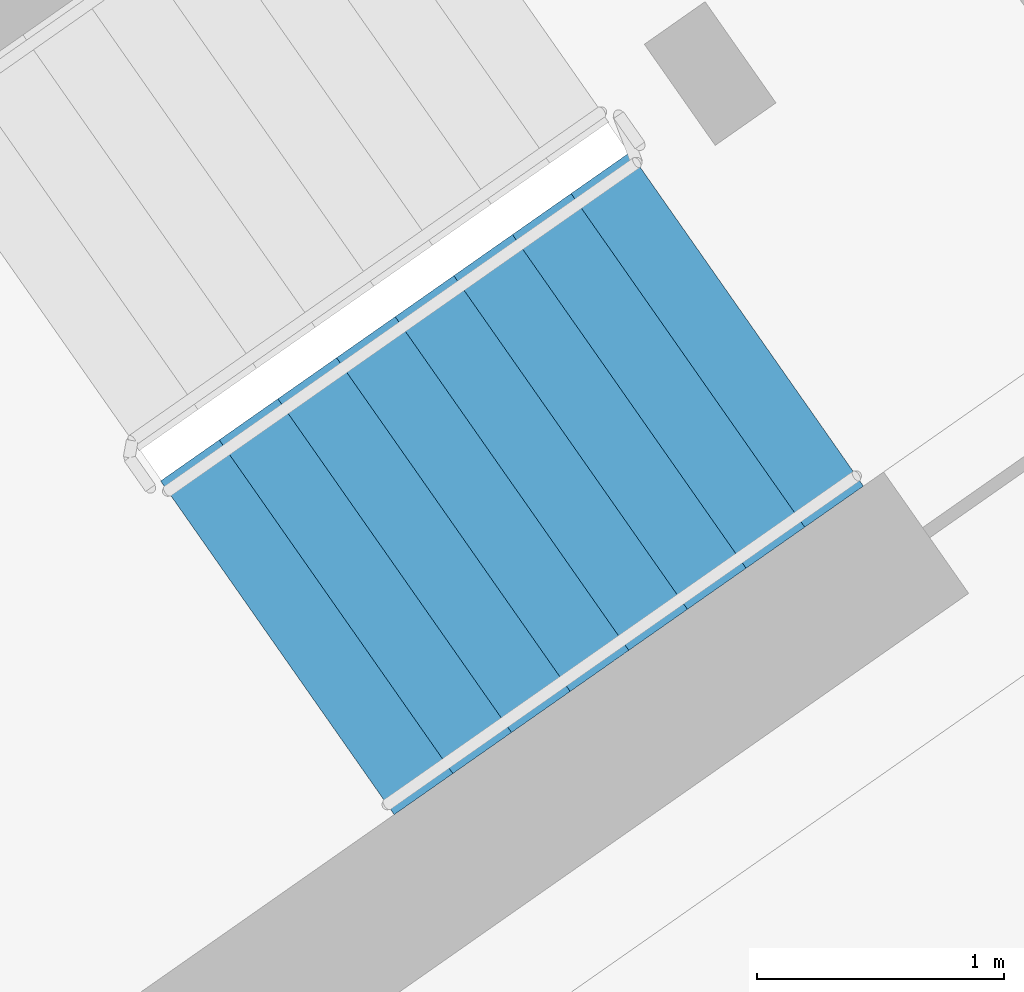
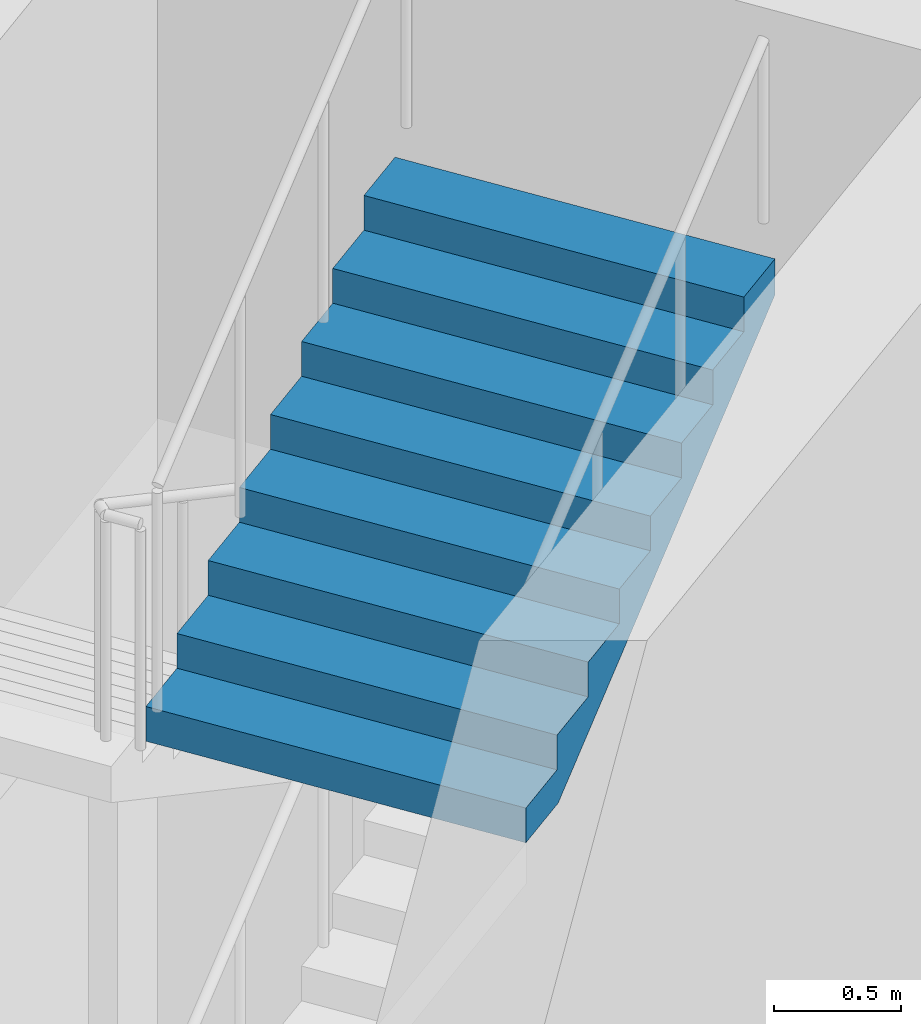
# One storey, part 17 of 41: 1 stair flight, 1 element without a shape of its own.
"""IFC4 building model written with IfcOpenShell, lengths in metres."""

from ifc_helpers import new_model, si_unit, direction, frame, origin, place, context, subcontext, project, spatial, faceted_brep, material, type_object, element, aggregate, save


model = new_model("IFC4")

# Units and contexts
model_context = context("Model", 3, precision=1e-05, world=origin(), true_north=direction((0.0, 1.0)))
body_context = subcontext(model_context, "Body", "Model", "MODEL_VIEW")
ifc_project = project(units=[si_unit("LENGTHUNIT", "METRE"), si_unit("AREAUNIT", "SQUARE_METRE"), si_unit("VOLUMEUNIT", "CUBIC_METRE"), si_unit("PLANEANGLEUNIT", "RADIAN"), si_unit("MASSUNIT", "GRAM", prefix="KILO")], contexts=[model_context])

# Site, building, storey
site_placement = place(None, origin())
site = spatial("IfcSite", under=ifc_project, at=site_placement, CompositionType="ELEMENT")
building_placement = place(site_placement, origin())
building = spatial("IfcBuilding", under=site, at=building_placement, Name="Qamariyya Broadcast Tower", CompositionType="ELEMENT")
storey_placement = place(building_placement, frame((0.0, 0.0, 284.699951171875)))
storey = spatial("IfcBuildingStorey", under=building, at=storey_placement, Name="L69", CompositionType="ELEMENT", Elevation=284.699951171875)

# Stair, stair flight
ifc_material = material(Name="Concrete C50/60", Category="concrete")
stair_type = type_object("IfcStairType", Name="Exit stair 36 risers of 167 mm", PredefinedType="HALF_TURN_STAIR", material=ifc_material)
stair_placement = place(storey_placement, origin())
stair = element("IfcStair", 1, at=stair_placement, inside=storey, type_object=stair_type, Name="L69 Stair E1", PredefinedType="HALF_TURN_STAIR")
stair_flight_type = type_object("IfcStairFlightType", Name="Exit stair flight 9 risers of 167 mm", PredefinedType="STRAIGHT", material=ifc_material)
stair_flight_placement = place(storey_placement, frame((45.16845703125, -58.313232421875, 4.5), z_axis=(0.0, 0.0, 1.0), x_axis=(0.819152044289, 0.573576436351, 0.0)))
stair_flight = element("IfcStairFlight", 2, at=stair_flight_placement, type_object=stair_flight_type, Name="ST-E1 flight 4", NumberOfRisers=9, NumberOfTreads=8, PredefinedType="STRAIGHT", RiserHeight=0.166666667, TreadLength=0.29, context=body_context, shape_type="Brep", body=[
    faceted_brep([(0.0, 0.824951171875, 0.0), (0.0, 0.824951171875, 0.166748046875), (0.2900390625, 0.824951171875, 0.166748046875), (0.2900390625, 0.824951171875, 0.333251953125), (0.580078125, 0.824951171875, 0.333251953125), (0.580078125, 0.824951171875, 0.5), (0.8701171875, 0.824951171875, 0.5), (0.8701171875, 0.824951171875, 0.666748046875), (1.159912109375, 0.824951171875, 0.666748046875), (1.159912109375, 0.824951171875, 0.833251953125), (1.449951171875, 0.824951171875, 0.833251953125), (1.449951171875, 0.824951171875, 1.0), (1.739990234375, 0.824951171875, 1.0), (1.739990234375, 0.824951171875, 1.166748046875), (2.030029296875, 0.824951171875, 1.166748046875), (2.030029296875, 0.824951171875, 1.333251953125), (2.320068359375, 0.824951171875, 1.333251953125), (2.320068359375, 0.824951171875, 1.160400390625), (0.30078125, 0.824951171875, 0.0), (0.30078125, -0.824951171875, 0.0), (2.320068359375, -0.824951171875, 1.160400390625), (2.320068359375, -0.824951171875, 1.333251953125), (2.030029296875, -0.824951171875, 1.333251953125), (2.030029296875, -0.824951171875, 1.166748046875), (1.739990234375, -0.824951171875, 1.166748046875), (1.739990234375, -0.824951171875, 1.0), (1.449951171875, -0.824951171875, 1.0), (1.449951171875, -0.824951171875, 0.833251953125), (1.159912109375, -0.824951171875, 0.833251953125), (1.159912109375, -0.824951171875, 0.666748046875), (0.8701171875, -0.824951171875, 0.666748046875), (0.8701171875, -0.824951171875, 0.5), (0.580078125, -0.824951171875, 0.5), (0.580078125, -0.824951171875, 0.333251953125), (0.2900390625, -0.824951171875, 0.333251953125), (0.2900390625, -0.824951171875, 0.166748046875), (0.0, -0.824951171875, 0.166748046875), (0.0, -0.824951171875, 0.0), (0.0, 0.10009765625, 0.0), (0.0, 0.086669921875, 0.0), (0.0, 0.0732421875, 0.0), (0.0, 0.06005859375, 0.0), (0.0, 0.046630859375, 0.0), (0.0, 0.033447265625, 0.0), (0.0, 0.02001953125, 0.0), (0.0, 0.006591796875, 0.0), (0.0, -0.006591796875, 0.0), (0.0, -0.02001953125, 0.0), (0.0, -0.033447265625, 0.0), (0.0, -0.046630859375, 0.0), (0.0, -0.06005859375, 0.0), (0.0, -0.0732421875, 0.0), (0.0, -0.086669921875, 0.0), (0.0, -0.10009765625, 0.0), (0.0, -0.10009765625, 0.166748046875), (0.0, -0.086669921875, 0.166748046875), (0.0, -0.0732421875, 0.166748046875), (0.0, -0.06005859375, 0.166748046875), (0.0, -0.046630859375, 0.166748046875), (0.0, -0.033447265625, 0.166748046875), (0.0, -0.02001953125, 0.166748046875), (0.0, -0.006591796875, 0.166748046875), (0.0, 0.006591796875, 0.166748046875), (0.0, 0.02001953125, 0.166748046875), (0.0, 0.033447265625, 0.166748046875), (0.0, 0.046630859375, 0.166748046875), (0.0, 0.06005859375, 0.166748046875), (0.0, 0.0732421875, 0.166748046875), (0.0, 0.086669921875, 0.166748046875), (0.0, 0.10009765625, 0.166748046875), (0.2900390625, -0.10009765625, 0.166748046875), (0.2900390625, -0.086669921875, 0.166748046875), (0.2900390625, -0.0732421875, 0.166748046875), (0.2900390625, -0.06005859375, 0.166748046875), (0.2900390625, -0.046630859375, 0.166748046875), (0.2900390625, -0.033447265625, 0.166748046875), (0.2900390625, -0.02001953125, 0.166748046875), (0.2900390625, -0.006591796875, 0.166748046875), (0.2900390625, 0.006591796875, 0.166748046875), (0.2900390625, 0.02001953125, 0.166748046875), (0.2900390625, 0.033447265625, 0.166748046875), (0.2900390625, 0.046630859375, 0.166748046875), (0.2900390625, 0.06005859375, 0.166748046875), (0.2900390625, 0.0732421875, 0.166748046875), (0.2900390625, 0.086669921875, 0.166748046875), (0.2900390625, 0.10009765625, 0.166748046875), (0.2900390625, -0.10009765625, 0.333251953125), (0.2900390625, -0.086669921875, 0.333251953125), (0.2900390625, -0.0732421875, 0.333251953125), (0.2900390625, -0.06005859375, 0.333251953125), (0.2900390625, -0.046630859375, 0.333251953125), (0.2900390625, -0.033447265625, 0.333251953125), (0.2900390625, -0.02001953125, 0.333251953125), (0.2900390625, -0.006591796875, 0.333251953125), (0.2900390625, 0.006591796875, 0.333251953125), (0.2900390625, 0.02001953125, 0.333251953125), (0.2900390625, 0.033447265625, 0.333251953125), (0.2900390625, 0.046630859375, 0.333251953125), (0.2900390625, 0.06005859375, 0.333251953125), (0.2900390625, 0.0732421875, 0.333251953125), (0.2900390625, 0.086669921875, 0.333251953125), (0.2900390625, 0.10009765625, 0.333251953125), (0.580078125, -0.10009765625, 0.333251953125), (0.580078125, -0.086669921875, 0.333251953125), (0.580078125, -0.0732421875, 0.333251953125), (0.580078125, -0.06005859375, 0.333251953125), (0.580078125, -0.046630859375, 0.333251953125), (0.580078125, -0.033447265625, 0.333251953125), (0.580078125, -0.02001953125, 0.333251953125), (0.580078125, -0.006591796875, 0.333251953125), (0.580078125, 0.006591796875, 0.333251953125), (0.580078125, 0.02001953125, 0.333251953125), (0.580078125, 0.033447265625, 0.333251953125), (0.580078125, 0.046630859375, 0.333251953125), (0.580078125, 0.06005859375, 0.333251953125), (0.580078125, 0.0732421875, 0.333251953125), (0.580078125, 0.086669921875, 0.333251953125), (0.580078125, 0.10009765625, 0.333251953125), (0.580078125, -0.10009765625, 0.5), (0.580078125, -0.086669921875, 0.5), (0.580078125, -0.0732421875, 0.5), (0.580078125, -0.06005859375, 0.5), (0.580078125, -0.046630859375, 0.5), (0.580078125, -0.033447265625, 0.5), (0.580078125, -0.02001953125, 0.5), (0.580078125, -0.006591796875, 0.5), (0.580078125, 0.006591796875, 0.5), (0.580078125, 0.02001953125, 0.5), (0.580078125, 0.033447265625, 0.5), (0.580078125, 0.046630859375, 0.5), (0.580078125, 0.06005859375, 0.5), (0.580078125, 0.0732421875, 0.5), (0.580078125, 0.086669921875, 0.5), (0.580078125, 0.10009765625, 0.5), (0.8701171875, -0.10009765625, 0.5), (0.8701171875, -0.086669921875, 0.5), (0.8701171875, -0.0732421875, 0.5), (0.8701171875, -0.06005859375, 0.5), (0.8701171875, -0.046630859375, 0.5), (0.8701171875, -0.033447265625, 0.5), (0.8701171875, -0.02001953125, 0.5), (0.8701171875, -0.006591796875, 0.5), (0.8701171875, 0.006591796875, 0.5), (0.8701171875, 0.02001953125, 0.5), (0.8701171875, 0.033447265625, 0.5), (0.8701171875, 0.046630859375, 0.5), (0.8701171875, 0.06005859375, 0.5), (0.8701171875, 0.0732421875, 0.5), (0.8701171875, 0.086669921875, 0.5), (0.8701171875, 0.10009765625, 0.5), (0.8701171875, -0.10009765625, 0.666748046875), (0.8701171875, -0.086669921875, 0.666748046875), (0.8701171875, -0.0732421875, 0.666748046875), (0.8701171875, -0.06005859375, 0.666748046875), (0.8701171875, -0.046630859375, 0.666748046875), (0.8701171875, -0.033447265625, 0.666748046875), (0.8701171875, -0.02001953125, 0.666748046875), (0.8701171875, -0.006591796875, 0.666748046875), (0.8701171875, 0.006591796875, 0.666748046875), (0.8701171875, 0.02001953125, 0.666748046875), (0.8701171875, 0.033447265625, 0.666748046875), (0.8701171875, 0.046630859375, 0.666748046875), (0.8701171875, 0.06005859375, 0.666748046875), (0.8701171875, 0.0732421875, 0.666748046875), (0.8701171875, 0.086669921875, 0.666748046875), (0.8701171875, 0.10009765625, 0.666748046875), (1.159912109375, -0.10009765625, 0.666748046875), (1.159912109375, -0.086669921875, 0.666748046875), (1.159912109375, -0.0732421875, 0.666748046875), (1.159912109375, -0.06005859375, 0.666748046875), (1.159912109375, -0.046630859375, 0.666748046875), (1.159912109375, -0.033447265625, 0.666748046875), (1.159912109375, -0.02001953125, 0.666748046875), (1.159912109375, -0.006591796875, 0.666748046875), (1.159912109375, 0.006591796875, 0.666748046875), (1.159912109375, 0.02001953125, 0.666748046875), (1.159912109375, 0.033447265625, 0.666748046875), (1.159912109375, 0.046630859375, 0.666748046875), (1.159912109375, 0.06005859375, 0.666748046875), (1.159912109375, 0.0732421875, 0.666748046875), (1.159912109375, 0.086669921875, 0.666748046875), (1.159912109375, 0.10009765625, 0.666748046875), (1.159912109375, -0.10009765625, 0.833251953125), (1.159912109375, -0.086669921875, 0.833251953125), (1.159912109375, -0.0732421875, 0.833251953125), (1.159912109375, -0.06005859375, 0.833251953125), (1.159912109375, -0.046630859375, 0.833251953125), (1.159912109375, -0.033447265625, 0.833251953125), (1.159912109375, -0.02001953125, 0.833251953125), (1.159912109375, -0.006591796875, 0.833251953125), (1.159912109375, 0.006591796875, 0.833251953125), (1.159912109375, 0.02001953125, 0.833251953125), (1.159912109375, 0.033447265625, 0.833251953125), (1.159912109375, 0.046630859375, 0.833251953125), (1.159912109375, 0.06005859375, 0.833251953125), (1.159912109375, 0.0732421875, 0.833251953125), (1.159912109375, 0.086669921875, 0.833251953125), (1.159912109375, 0.10009765625, 0.833251953125), (1.449951171875, -0.10009765625, 0.833251953125), (1.449951171875, -0.086669921875, 0.833251953125), (1.449951171875, -0.0732421875, 0.833251953125), (1.449951171875, -0.06005859375, 0.833251953125), (1.449951171875, -0.046630859375, 0.833251953125), (1.449951171875, -0.033447265625, 0.833251953125), (1.449951171875, -0.02001953125, 0.833251953125), (1.449951171875, -0.006591796875, 0.833251953125), (1.449951171875, 0.006591796875, 0.833251953125), (1.449951171875, 0.02001953125, 0.833251953125), (1.449951171875, 0.033447265625, 0.833251953125), (1.449951171875, 0.046630859375, 0.833251953125), (1.449951171875, 0.06005859375, 0.833251953125), (1.449951171875, 0.0732421875, 0.833251953125), (1.449951171875, 0.086669921875, 0.833251953125), (1.449951171875, 0.10009765625, 0.833251953125), (1.449951171875, -0.10009765625, 1.0), (1.449951171875, -0.086669921875, 1.0), (1.449951171875, -0.0732421875, 1.0), (1.449951171875, -0.06005859375, 1.0), (1.449951171875, -0.046630859375, 1.0), (1.449951171875, -0.033447265625, 1.0), (1.449951171875, -0.02001953125, 1.0), (1.449951171875, -0.006591796875, 1.0), (1.449951171875, 0.006591796875, 1.0), (1.449951171875, 0.02001953125, 1.0), (1.449951171875, 0.033447265625, 1.0), (1.449951171875, 0.046630859375, 1.0), (1.449951171875, 0.06005859375, 1.0), (1.449951171875, 0.0732421875, 1.0), (1.449951171875, 0.086669921875, 1.0), (1.449951171875, 0.10009765625, 1.0), (1.739990234375, -0.10009765625, 1.0), (1.739990234375, -0.086669921875, 1.0), (1.739990234375, -0.0732421875, 1.0), (1.739990234375, -0.06005859375, 1.0), (1.739990234375, -0.046630859375, 1.0), (1.739990234375, -0.033447265625, 1.0), (1.739990234375, -0.02001953125, 1.0), (1.739990234375, -0.006591796875, 1.0), (1.739990234375, 0.006591796875, 1.0), (1.739990234375, 0.02001953125, 1.0), (1.739990234375, 0.033447265625, 1.0), (1.739990234375, 0.046630859375, 1.0), (1.739990234375, 0.06005859375, 1.0), (1.739990234375, 0.0732421875, 1.0), (1.739990234375, 0.086669921875, 1.0), (1.739990234375, 0.10009765625, 1.0), (1.739990234375, -0.10009765625, 1.166748046875), (1.739990234375, -0.086669921875, 1.166748046875), (1.739990234375, -0.0732421875, 1.166748046875), (1.739990234375, -0.06005859375, 1.166748046875), (1.739990234375, -0.046630859375, 1.166748046875), (1.739990234375, -0.033447265625, 1.166748046875), (1.739990234375, -0.02001953125, 1.166748046875), (1.739990234375, -0.006591796875, 1.166748046875), (1.739990234375, 0.006591796875, 1.166748046875), (1.739990234375, 0.02001953125, 1.166748046875), (1.739990234375, 0.033447265625, 1.166748046875), (1.739990234375, 0.046630859375, 1.166748046875), (1.739990234375, 0.06005859375, 1.166748046875), (1.739990234375, 0.0732421875, 1.166748046875), (1.739990234375, 0.086669921875, 1.166748046875), (1.739990234375, 0.10009765625, 1.166748046875), (2.030029296875, -0.10009765625, 1.166748046875), (2.030029296875, -0.086669921875, 1.166748046875), (2.030029296875, -0.0732421875, 1.166748046875), (2.030029296875, -0.06005859375, 1.166748046875), (2.030029296875, -0.046630859375, 1.166748046875), (2.030029296875, -0.033447265625, 1.166748046875), (2.030029296875, -0.02001953125, 1.166748046875), (2.030029296875, -0.006591796875, 1.166748046875), (2.030029296875, 0.006591796875, 1.166748046875), (2.030029296875, 0.02001953125, 1.166748046875), (2.030029296875, 0.033447265625, 1.166748046875), (2.030029296875, 0.046630859375, 1.166748046875), (2.030029296875, 0.06005859375, 1.166748046875), (2.030029296875, 0.0732421875, 1.166748046875), (2.030029296875, 0.086669921875, 1.166748046875), (2.030029296875, 0.10009765625, 1.166748046875), (2.030029296875, -0.10009765625, 1.333251953125), (2.030029296875, -0.086669921875, 1.333251953125), (2.030029296875, -0.0732421875, 1.333251953125), (2.030029296875, -0.06005859375, 1.333251953125), (2.030029296875, -0.046630859375, 1.333251953125), (2.030029296875, -0.033447265625, 1.333251953125), (2.030029296875, -0.02001953125, 1.333251953125), (2.030029296875, -0.006591796875, 1.333251953125), (2.030029296875, 0.006591796875, 1.333251953125), (2.030029296875, 0.02001953125, 1.333251953125), (2.030029296875, 0.033447265625, 1.333251953125), (2.030029296875, 0.046630859375, 1.333251953125), (2.030029296875, 0.06005859375, 1.333251953125), (2.030029296875, 0.0732421875, 1.333251953125), (2.030029296875, 0.086669921875, 1.333251953125), (2.030029296875, 0.10009765625, 1.333251953125), (2.320068359375, -0.10009765625, 1.333251953125), (2.320068359375, -0.086669921875, 1.333251953125), (2.320068359375, -0.0732421875, 1.333251953125), (2.320068359375, -0.06005859375, 1.333251953125), (2.320068359375, -0.046630859375, 1.333251953125), (2.320068359375, -0.033447265625, 1.333251953125), (2.320068359375, -0.02001953125, 1.333251953125), (2.320068359375, -0.006591796875, 1.333251953125), (2.320068359375, 0.006591796875, 1.333251953125), (2.320068359375, 0.02001953125, 1.333251953125), (2.320068359375, 0.033447265625, 1.333251953125), (2.320068359375, 0.046630859375, 1.333251953125), (2.320068359375, 0.06005859375, 1.333251953125), (2.320068359375, 0.0732421875, 1.333251953125), (2.320068359375, 0.086669921875, 1.333251953125), (2.320068359375, 0.10009765625, 1.333251953125), (2.320068359375, -0.10009765625, 1.160400390625), (2.320068359375, -0.086669921875, 1.160400390625), (2.320068359375, -0.0732421875, 1.160400390625), (2.320068359375, -0.06005859375, 1.160400390625), (2.320068359375, -0.046630859375, 1.160400390625), (2.320068359375, -0.033447265625, 1.160400390625), (2.320068359375, -0.02001953125, 1.160400390625), (2.320068359375, -0.006591796875, 1.160400390625), (2.320068359375, 0.006591796875, 1.160400390625), (2.320068359375, 0.02001953125, 1.160400390625), (2.320068359375, 0.033447265625, 1.160400390625), (2.320068359375, 0.046630859375, 1.160400390625), (2.320068359375, 0.06005859375, 1.160400390625), (2.320068359375, 0.0732421875, 1.160400390625), (2.320068359375, 0.086669921875, 1.160400390625), (2.320068359375, 0.10009765625, 1.160400390625), (0.30078125, -0.10009765625, 0.0), (0.30078125, -0.086669921875, 0.0), (0.30078125, -0.0732421875, 0.0), (0.30078125, -0.06005859375, 0.0), (0.30078125, -0.046630859375, 0.0), (0.30078125, -0.033447265625, 0.0), (0.30078125, -0.02001953125, 0.0), (0.30078125, -0.006591796875, 0.0), (0.30078125, 0.006591796875, 0.0), (0.30078125, 0.02001953125, 0.0), (0.30078125, 0.033447265625, 0.0), (0.30078125, 0.046630859375, 0.0), (0.30078125, 0.06005859375, 0.0), (0.30078125, 0.0732421875, 0.0), (0.30078125, 0.086669921875, 0.0), (0.30078125, 0.10009765625, 0.0)], [[[0, 1, 2, 3, 4, 5, 6, 7, 8, 9, 10, 11, 12, 13, 14, 15, 16, 17, 18]], [[19, 20, 21, 22, 23, 24, 25, 26, 27, 28, 29, 30, 31, 32, 33, 34, 35, 36, 37]], [[0, 38, 39, 40, 41, 42, 43, 44, 45, 46, 47, 48, 49, 50, 51, 52, 53, 37, 36, 54, 55, 56, 57, 58, 59, 60, 61, 62, 63, 64, 65, 66, 67, 68, 69, 1]], [[1, 69, 68, 67, 66, 65, 64, 63, 62, 61, 60, 59, 58, 57, 56, 55, 54, 36, 35, 70, 71, 72, 73, 74, 75, 76, 77, 78, 79, 80, 81, 82, 83, 84, 85, 2]], [[2, 85, 84, 83, 82, 81, 80, 79, 78, 77, 76, 75, 74, 73, 72, 71, 70, 35, 34, 86, 87, 88, 89, 90, 91, 92, 93, 94, 95, 96, 97, 98, 99, 100, 101, 3]], [[3, 101, 100, 99, 98, 97, 96, 95, 94, 93, 92, 91, 90, 89, 88, 87, 86, 34, 33, 102, 103, 104, 105, 106, 107, 108, 109, 110, 111, 112, 113, 114, 115, 116, 117, 4]], [[4, 117, 116, 115, 114, 113, 112, 111, 110, 109, 108, 107, 106, 105, 104, 103, 102, 33, 32, 118, 119, 120, 121, 122, 123, 124, 125, 126, 127, 128, 129, 130, 131, 132, 133, 5]], [[5, 133, 132, 131, 130, 129, 128, 127, 126, 125, 124, 123, 122, 121, 120, 119, 118, 32, 31, 134, 135, 136, 137, 138, 139, 140, 141, 142, 143, 144, 145, 146, 147, 148, 149, 6]], [[6, 149, 148, 147, 146, 145, 144, 143, 142, 141, 140, 139, 138, 137, 136, 135, 134, 31, 30, 150, 151, 152, 153, 154, 155, 156, 157, 158, 159, 160, 161, 162, 163, 164, 165, 7]], [[7, 165, 164, 163, 162, 161, 160, 159, 158, 157, 156, 155, 154, 153, 152, 151, 150, 30, 29, 166, 167, 168, 169, 170, 171, 172, 173, 174, 175, 176, 177, 178, 179, 180, 181, 8]], [[8, 181, 180, 179, 178, 177, 176, 175, 174, 173, 172, 171, 170, 169, 168, 167, 166, 29, 28, 182, 183, 184, 185, 186, 187, 188, 189, 190, 191, 192, 193, 194, 195, 196, 197, 9]], [[9, 197, 196, 195, 194, 193, 192, 191, 190, 189, 188, 187, 186, 185, 184, 183, 182, 28, 27, 198, 199, 200, 201, 202, 203, 204, 205, 206, 207, 208, 209, 210, 211, 212, 213, 10]], [[10, 213, 212, 211, 210, 209, 208, 207, 206, 205, 204, 203, 202, 201, 200, 199, 198, 27, 26, 214, 215, 216, 217, 218, 219, 220, 221, 222, 223, 224, 225, 226, 227, 228, 229, 11]], [[11, 229, 228, 227, 226, 225, 224, 223, 222, 221, 220, 219, 218, 217, 216, 215, 214, 26, 25, 230, 231, 232, 233, 234, 235, 236, 237, 238, 239, 240, 241, 242, 243, 244, 245, 12]], [[12, 245, 244, 243, 242, 241, 240, 239, 238, 237, 236, 235, 234, 233, 232, 231, 230, 25, 24, 246, 247, 248, 249, 250, 251, 252, 253, 254, 255, 256, 257, 258, 259, 260, 261, 13]], [[13, 261, 260, 259, 258, 257, 256, 255, 254, 253, 252, 251, 250, 249, 248, 247, 246, 24, 23, 262, 263, 264, 265, 266, 267, 268, 269, 270, 271, 272, 273, 274, 275, 276, 277, 14]], [[14, 277, 276, 275, 274, 273, 272, 271, 270, 269, 268, 267, 266, 265, 264, 263, 262, 23, 22, 278, 279, 280, 281, 282, 283, 284, 285, 286, 287, 288, 289, 290, 291, 292, 293, 15]], [[15, 293, 292, 291, 290, 289, 288, 287, 286, 285, 284, 283, 282, 281, 280, 279, 278, 22, 21, 294, 295, 296, 297, 298, 299, 300, 301, 302, 303, 304, 305, 306, 307, 308, 309, 16]], [[16, 309, 308, 307, 306, 305, 304, 303, 302, 301, 300, 299, 298, 297, 296, 295, 294, 21, 20, 310, 311, 312, 313, 314, 315, 316, 317, 318, 319, 320, 321, 322, 323, 324, 325, 17]], [[17, 325, 324, 323, 322, 321, 320, 319, 318, 317, 316, 315, 314, 313, 312, 311, 310, 20, 19, 326, 327, 328, 329, 330, 331, 332, 333, 334, 335, 336, 337, 338, 339, 340, 341, 18]], [[18, 341, 340, 339, 338, 337, 336, 335, 334, 333, 332, 331, 330, 329, 328, 327, 326, 19, 37, 53, 52, 51, 50, 49, 48, 47, 46, 45, 44, 43, 42, 41, 40, 39, 38, 0]]]),
])
aggregate(stair, [stair_flight])

save(model, "model.ifc")
